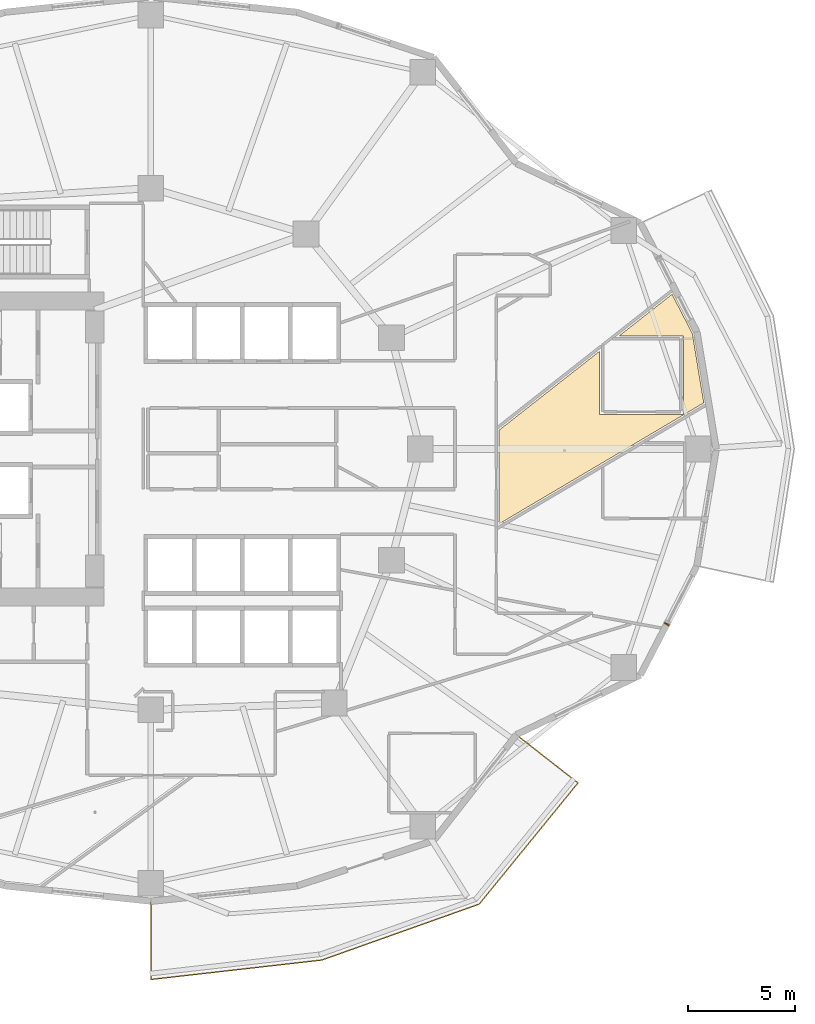
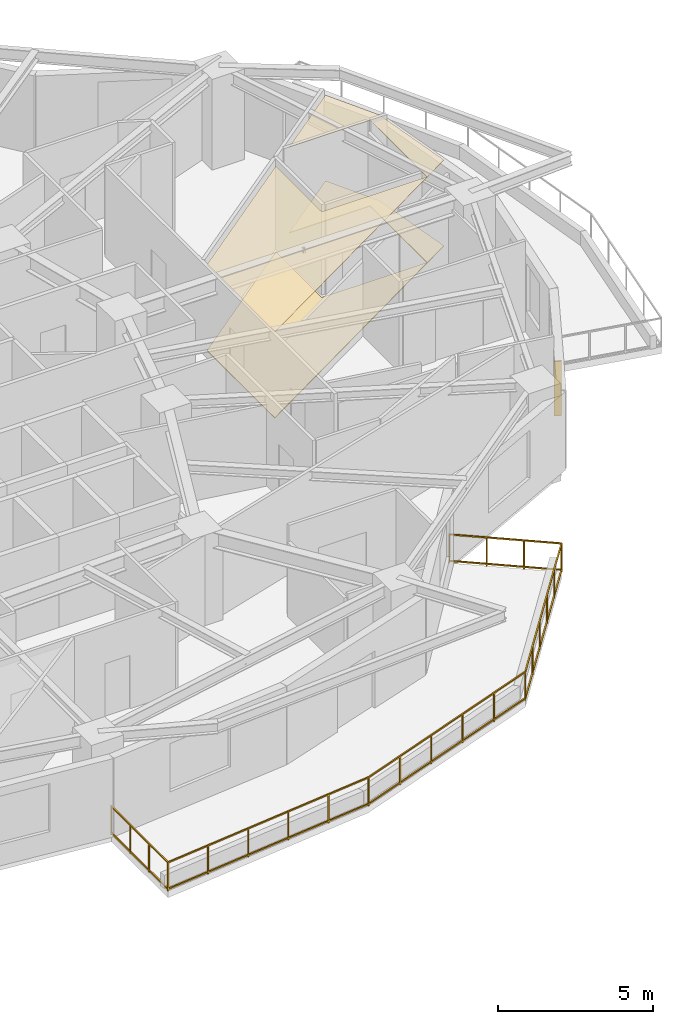
# One storey, part 13 of 15: 2 coverings, 1 railing, 1 shading device.
"""IFC4 building model written with IfcOpenShell, lengths in metres."""

from ifc_helpers import new_model, si_unit, direction, frame, origin, origin_2d, place, context, subcontext, project, spatial, polyline, rectangle, outline, extrude, material, layer, layer_set, type_object, element, save


model = new_model("IFC4")

# Units and contexts
model_context = context("Model", 3, precision=1e-05, world=origin(), true_north=direction((0.0, 1.0)))
body_context = subcontext(model_context, "Body", "Model", "MODEL_VIEW")
ifc_project = project(units=[si_unit("LENGTHUNIT", "METRE"), si_unit("AREAUNIT", "SQUARE_METRE"), si_unit("VOLUMEUNIT", "CUBIC_METRE"), si_unit("PLANEANGLEUNIT", "RADIAN"), si_unit("MASSUNIT", "GRAM", prefix="KILO")], contexts=[model_context])

# Site, building, storey
site_placement = place(None, origin())
site = spatial("IfcSite", under=ifc_project, at=site_placement, CompositionType="ELEMENT")
building_placement = place(site_placement, origin())
building = spatial("IfcBuilding", under=site, at=building_placement, Name="Kolvaren Gate Tower and Convention Centre", CompositionType="ELEMENT")
storey_placement = place(building_placement, frame((0.0, 0.0, 72.699951171875)))
storey = spatial("IfcBuildingStorey", under=building, at=storey_placement, Name="L17", CompositionType="ELEMENT", Elevation=72.699951171875)

# Coverings
ifc_material_1 = material(Name="Perforated Mineral-Fibre Acoustic Ceiling Tile 18 mm", Category="gypsum")
ifc_layer_1 = layer(ifc_material_1, 0.01806640625)
ifc_layer_set_1 = layer_set([ifc_layer_1], Name="Perforated Mineral-Fibre Acoustic Ceiling Tile 18 mm")
covering_type_1 = type_object("IfcCoveringType", Name="ARCH-COV-CEIL-18", PredefinedType="CEILING", material=ifc_layer_set_1)
covering_1_placement = place(storey_placement, frame((0.0, 0.0, 3.39013671875)))
element("IfcCovering", 1, at=covering_1_placement, inside=storey, type_object=covering_type_1, Name="Legal Chambers Cellular Office Acoustic Suspended Ceiling", PredefinedType="CEILING", context=body_context, shape_type="SweptSolid", body=[
    extrude(outline(polyline([(55.98388671875, 29.158935546875), (46.409912109375, 23.4970703125), (46.409912109375, 27.87890625), (51.110107421875, 31.572021484375), (51.110107421875, 28.610107421875), (55.0400390625, 28.610107421875), (55.0400390625, 32.2900390625), (52.02392578125, 32.2900390625), (54.5009765625, 34.236083984375), (55.449951171875, 32.403076171875), (55.98388671875, 29.158935546875)])), origin(), (0.0, 0.0, 1.0), 0.017822265625),
])
ifc_material_2 = material(Name="Honed Sabana Limestone Terrazzo Flooring 30 mm", Category="masonry")
ifc_layer_2 = layer(ifc_material_2, 0.030029296875)
ifc_layer_set_2 = layer_set([ifc_layer_2], Name="Honed Sabana Limestone Terrazzo Flooring 30 mm")
covering_type_2 = type_object("IfcCoveringType", Name="ARCH-COV-FLR-30", PredefinedType="FLOORING", material=ifc_layer_set_2)
covering_2_placement = place(storey_placement, origin())
element("IfcCovering", 2, at=covering_2_placement, inside=storey, type_object=covering_type_2, Name="Legal Chambers Cellular Office Interior Finish Flooring", PredefinedType="FLOORING", context=body_context, shape_type="SweptSolid", body=[
    extrude(outline(polyline([(55.98388671875, 29.158935546875), (46.409912109375, 23.4970703125), (46.409912109375, 27.87890625), (51.110107421875, 31.572021484375), (51.110107421875, 28.610107421875), (55.0400390625, 28.610107421875), (55.0400390625, 32.2900390625), (52.02392578125, 32.2900390625), (54.5009765625, 34.236083984375), (55.449951171875, 32.403076171875), (55.98388671875, 29.158935546875)])), origin(), (0.0, 0.0, 1.0), 0.030029296875),
])

# Railing
ifc_material_3 = material(Name="Brushed Stainless Steel Grade 316L", Category="steel")
railing_type = type_object("IfcRailingType", Name="ARCH-RL-GUARD-1150", PredefinedType="GUARDRAIL", material=ifc_material_3)
railing_placement = place(storey_placement, frame((30.125, 5.85009765625, 0.0)))
element("IfcRailing", 3, at=railing_placement, inside=storey, type_object=railing_type, Name="Tower L17 Terrace Perimeter Guardrail GR-3", PredefinedType="GUARDRAIL", context=body_context, shape_type="SweptSolid", body=[
    extrude(rectangle(XDim=0.048095703125, YDim=0.048095703125, at=origin_2d()), frame((0.0, -0.028076171875, 1.1259765625), z_axis=(0.0, -1.0, 0.0), x_axis=(1.0, 0.0, 0.0)), (0.0, 0.0, 1.0), 3.60400390625),
    extrude(rectangle(XDim=0.048095703125, YDim=0.048095703125, at=origin_2d()), frame((0.0, -0.028076171875, 0.083984375), z_axis=(0.0, -1.0, 0.0), x_axis=(1.0, 0.0, 0.0)), (0.0, 0.0, 1.0), 3.60400390625),
    extrude(rectangle(XDim=0.048095703125, YDim=0.048095703125, at=origin_2d()), frame((0.02783203125, -3.656982421875, 1.1259765625), z_axis=(0.993598144351, 0.112972242349, 0.0), x_axis=(-0.112972242349, 0.993598144351, 0.0)), (0.0, 0.0, 1.0), 8.000244140625),
    extrude(rectangle(XDim=0.048095703125, YDim=0.048095703125, at=origin_2d()), frame((0.02783203125, -3.656982421875, 0.083984375), z_axis=(0.993598144351, 0.112972242349, 0.0), x_axis=(-0.112972242349, 0.993598144351, 0.0)), (0.0, 0.0, 1.0), 8.000244140625),
    extrude(rectangle(XDim=0.048095703125, YDim=0.048095703125, at=origin_2d()), frame((8.03125, -2.74072265625, 1.1259765625), z_axis=(0.942200211781, 0.335050385643, 0.0), x_axis=(-0.335050385643, 0.942200211781, 0.0)), (0.0, 0.0, 1.0), 7.7509765625),
    extrude(rectangle(XDim=0.048095703125, YDim=0.048095703125, at=origin_2d()), frame((8.03125, -2.74072265625, 0.083984375), z_axis=(0.942200211781, 0.335050385643, 0.0), x_axis=(-0.335050385643, 0.942200211781, 0.0)), (0.0, 0.0, 1.0), 7.7509765625),
    extrude(rectangle(XDim=0.048095703125, YDim=0.048095703125, at=origin_2d()), frame((15.37841796875, -0.112548828125, 1.1259765625), z_axis=(0.631819273026, 0.775115737315, 0.0), x_axis=(-0.775115737315, 0.631819273026, 0.0)), (0.0, 0.0, 1.0), 7.259765625),
    extrude(rectangle(XDim=0.048095703125, YDim=0.048095703125, at=origin_2d()), frame((15.37841796875, -0.112548828125, 0.083984375), z_axis=(0.631819273026, 0.775115737315, 0.0), x_axis=(-0.775115737315, 0.631819273026, 0.0)), (0.0, 0.0, 1.0), 7.259765625),
    extrude(rectangle(XDim=0.048095703125, YDim=0.048095703125, at=origin_2d()), frame((19.960693359375, 5.5537109375, 1.1259765625), z_axis=(-0.787988976981, 0.61568934712, 0.0), x_axis=(-0.61568934712, -0.787988976981, 0.0)), (0.0, 0.0, 1.0), 3.60400390625),
    extrude(rectangle(XDim=0.048095703125, YDim=0.048095703125, at=origin_2d()), frame((19.960693359375, 5.5537109375, 0.083984375), z_axis=(-0.787988976981, 0.61568934712, 0.0), x_axis=(-0.61568934712, -0.787988976981, 0.0)), (0.0, 0.0, 1.0), 3.60400390625),
    extrude(rectangle(XDim=0.0419921875, YDim=0.0419921875, at=origin_2d()), origin(), (0.0, 0.0, 1.0), 1.14990234375),
    extrude(rectangle(XDim=0.0419921875, YDim=0.0419921875, at=origin_2d()), frame((0.0, -3.66015625, 0.0)), (0.0, 0.0, 1.0), 1.14990234375),
    extrude(rectangle(XDim=0.0419921875, YDim=0.0419921875, at=origin_2d()), frame((0.0, -1.219970703125, 0.0)), (0.0, 0.0, 1.0), 1.099853515625),
    extrude(rectangle(XDim=0.0419921875, YDim=0.0419921875, at=origin_2d()), frame((0.0, -2.440185546875, 0.0)), (0.0, 0.0, 1.0), 1.099853515625),
    extrude(rectangle(XDim=0.0419921875, YDim=0.0419921875, at=origin_2d()), frame((8.0048828125, -2.75, 0.0)), (0.0, 0.0, 1.0), 1.14990234375),
    extrude(rectangle(XDim=0.0419921875, YDim=0.0419921875, at=origin_2d()), frame((1.60107421875, -3.47802734375, 0.0)), (0.0, 0.0, 1.0), 1.099853515625),
    extrude(rectangle(XDim=0.0419921875, YDim=0.0419921875, at=origin_2d()), frame((3.201904296875, -3.296142578125, 0.0)), (0.0, 0.0, 1.0), 1.099853515625),
    extrude(rectangle(XDim=0.0419921875, YDim=0.0419921875, at=origin_2d()), frame((4.802978515625, -3.114013671875, 0.0)), (0.0, 0.0, 1.0), 1.099853515625),
    extrude(rectangle(XDim=0.0419921875, YDim=0.0419921875, at=origin_2d()), frame((6.40380859375, -2.93212890625, 0.0)), (0.0, 0.0, 1.0), 1.099853515625),
    extrude(rectangle(XDim=0.0419921875, YDim=0.0419921875, at=origin_2d()), frame((15.360595703125, -0.13427734375, 0.0)), (0.0, 0.0, 1.0), 1.14990234375),
    extrude(rectangle(XDim=0.0419921875, YDim=0.0419921875, at=origin_2d()), frame((9.47607421875, -2.226806640625, 0.0)), (0.0, 0.0, 1.0), 1.099853515625),
    extrude(rectangle(XDim=0.0419921875, YDim=0.0419921875, at=origin_2d()), frame((10.947265625, -1.70361328125, 0.0)), (0.0, 0.0, 1.0), 1.099853515625),
    extrude(rectangle(XDim=0.0419921875, YDim=0.0419921875, at=origin_2d()), frame((12.418212890625, -1.1806640625, 0.0)), (0.0, 0.0, 1.0), 1.099853515625),
    extrude(rectangle(XDim=0.0419921875, YDim=0.0419921875, at=origin_2d()), frame((13.889404296875, -0.657470703125, 0.0)), (0.0, 0.0, 1.0), 1.099853515625),
    extrude(rectangle(XDim=0.0419921875, YDim=0.0419921875, at=origin_2d()), frame((19.98291015625, 5.536376953125, 0.0)), (0.0, 0.0, 1.0), 1.14990234375),
    extrude(rectangle(XDim=0.0419921875, YDim=0.0419921875, at=origin_2d()), frame((16.28515625, 0.999755859375, 0.0)), (0.0, 0.0, 1.0), 1.099853515625),
    extrude(rectangle(XDim=0.0419921875, YDim=0.0419921875, at=origin_2d()), frame((17.20947265625, 2.134033203125, 0.0)), (0.0, 0.0, 1.0), 1.099853515625),
    extrude(rectangle(XDim=0.0419921875, YDim=0.0419921875, at=origin_2d()), frame((18.134033203125, 3.26806640625, 0.0)), (0.0, 0.0, 1.0), 1.099853515625),
    extrude(rectangle(XDim=0.0419921875, YDim=0.0419921875, at=origin_2d()), frame((19.058349609375, 4.40234375, 0.0)), (0.0, 0.0, 1.0), 1.099853515625),
    extrude(rectangle(XDim=0.0419921875, YDim=0.0419921875, at=origin_2d()), frame((17.098876953125, 7.789794921875, 0.0)), (0.0, 0.0, 1.0), 1.14990234375),
    extrude(rectangle(XDim=0.0419921875, YDim=0.0419921875, at=origin_2d()), frame((19.021484375, 6.28759765625, 0.0)), (0.0, 0.0, 1.0), 1.099853515625),
    extrude(rectangle(XDim=0.0419921875, YDim=0.0419921875, at=origin_2d()), frame((18.060302734375, 7.03857421875, 0.0)), (0.0, 0.0, 1.0), 1.099853515625),
])

# Shading device
ifc_material_4 = material(Name="Kiln-Fired Bogota Terracotta Ceramic Louvre Profile", Category="masonry")
shading_device_type = type_object("IfcShadingDeviceType", Name="ARCH-SHD-FIN-180", PredefinedType="JALOUSIE", material=ifc_material_4)
shading_device_placement = place(storey_placement, frame((54.25732421875, 18.813720703125, 0.22021484375), z_axis=(0.0, 0.0, 1.0), x_axis=(0.45980150925, 0.888021718254, 0.0)))
element("IfcShadingDevice", 4, at=shading_device_placement, inside=storey, type_object=shading_device_type, Name="Ceramic Vertical Brise-Soleil Fin FN-L17-22", PredefinedType="JALOUSIE", context=body_context, shape_type="SweptSolid", body=[
    extrude(rectangle(XDim=0.06005859375, YDim=0.239990234375, at=origin_2d()), origin(), (0.0, 0.0, 1.0), 2.14990234375),
])

save(model, "model.ifc")
